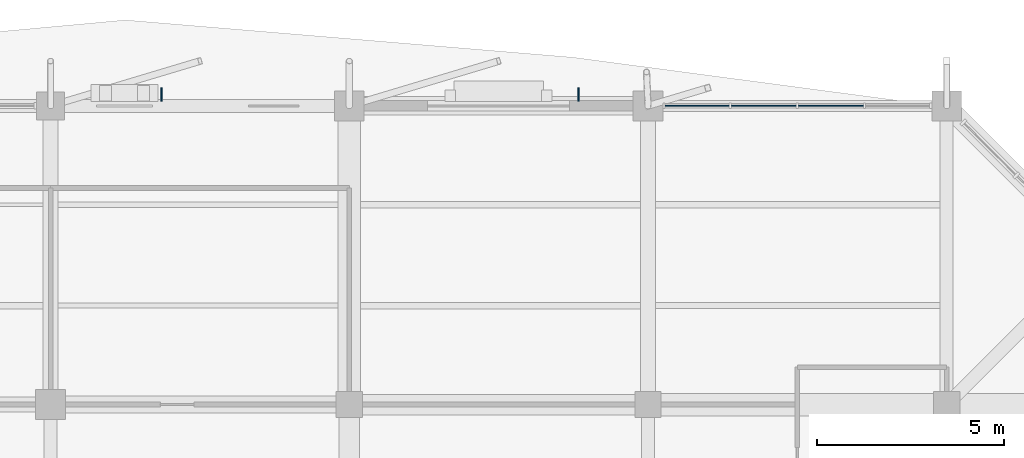
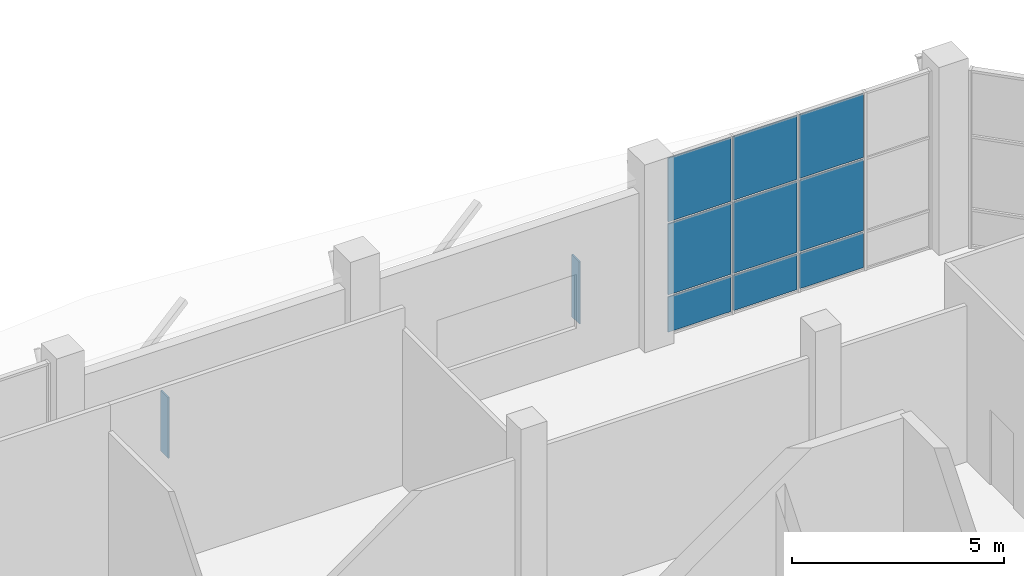
# One storey, part 85 of 122: 11 plates, 1 element without a shape of its own.
"""IFC4 building model written with IfcOpenShell, lengths in metres."""

from ifc_helpers import new_model, si_unit, direction, frame, origin, origin_2d, place, context, subcontext, project, spatial, rectangle, extrude, material, layer, layer_set, type_object, element, aggregate, save


model = new_model("IFC4")

# Units and contexts
model_context = context("Model", 3, precision=1e-05, world=origin(), true_north=direction((0.0, 1.0)))
body_context = subcontext(model_context, "Body", "Model", "MODEL_VIEW")
ifc_project = project(units=[si_unit("LENGTHUNIT", "METRE"), si_unit("AREAUNIT", "SQUARE_METRE"), si_unit("VOLUMEUNIT", "CUBIC_METRE"), si_unit("PLANEANGLEUNIT", "RADIAN"), si_unit("MASSUNIT", "GRAM", prefix="KILO")], contexts=[model_context])

# Site, building, storey
site_placement = place(None, origin())
site = spatial("IfcSite", under=ifc_project, at=site_placement, CompositionType="ELEMENT")
building_placement = place(site_placement, origin())
building = spatial("IfcBuilding", under=site, at=building_placement, Name="Tenunan Teduh Sports Hall", CompositionType="ELEMENT")
storey_placement = place(building_placement, frame((0.0, 0.0, 5.39990234375)))
storey = spatial("IfcBuildingStorey", under=building, at=storey_placement, Name="L01", CompositionType="ELEMENT", Elevation=5.39990234375)

# Curtain wall, plates
ifc_material_1 = material(Name="Anodised aluminium", Category="aluminium")
curtain_wall_type = type_object("IfcCurtainWallType", Name="CW-UNIT-1", PredefinedType="NOTDEFINED", material=ifc_material_1)
curtain_wall_placement = place(storey_placement, origin())
curtain_wall = element("IfcCurtainWall", 1, at=curtain_wall_placement, inside=storey, type_object=curtain_wall_type, Name="CW-CWM-150-L01-207", PredefinedType="NOTDEFINED")
ifc_material_2 = material(Name="Solar-control laminated glazing", Category="glass")
ifc_layer_1 = layer(ifc_material_2, 0.031982421875)
ifc_layer_set_1 = layer_set([ifc_layer_1], Name="Solar-control laminated glazing")
plate_type_1 = type_object("IfcPlateType", Name="CWP-GLZ-32", PredefinedType="CURTAIN_PANEL", material=ifc_layer_set_1)
plate_1_placement = place(storey_placement, frame((63.31494140625, 118.0, 1.130126953125), z_axis=(0.0, 0.0, 1.0), x_axis=(1.0, 0.0, 0.0)))
plate_1 = element("IfcPlate", 2, at=plate_1_placement, type_object=plate_type_1, Name="CW-01 panel 1.2", PredefinedType="CURTAIN_PANEL", context=body_context, shape_type="SweptSolid", body=[
    extrude(rectangle(XDim=1.7099609375, YDim=0.031982421875, at=origin_2d()), origin(), (0.0, 0.0, 1.0), 2.0400390625),
])
plate_2_placement = place(storey_placement, frame((63.31494140625, 118.0, 3.22998046875), z_axis=(0.0, 0.0, 1.0), x_axis=(1.0, 0.0, 0.0)))
plate_2 = element("IfcPlate", 3, at=plate_2_placement, type_object=plate_type_1, Name="CW-01 panel 1.3", PredefinedType="CURTAIN_PANEL", context=body_context, shape_type="SweptSolid", body=[
    extrude(rectangle(XDim=1.7099609375, YDim=0.031982421875, at=origin_2d()), origin(), (0.0, 0.0, 1.0), 1.830078125),
])
plate_3_placement = place(storey_placement, frame((65.10009765625, 118.0, 1.130126953125), z_axis=(0.0, 0.0, 1.0), x_axis=(1.0, 0.0, 0.0)))
plate_3 = element("IfcPlate", 4, at=plate_3_placement, type_object=plate_type_1, Name="CW-01 panel 2.2", PredefinedType="CURTAIN_PANEL", context=body_context, shape_type="SweptSolid", body=[
    extrude(rectangle(XDim=1.739990234375, YDim=0.031982421875, at=origin_2d()), origin(), (0.0, 0.0, 1.0), 2.0400390625),
])
plate_4_placement = place(storey_placement, frame((65.10009765625, 118.0, 3.22998046875), z_axis=(0.0, 0.0, 1.0), x_axis=(1.0, 0.0, 0.0)))
plate_4 = element("IfcPlate", 5, at=plate_4_placement, type_object=plate_type_1, Name="CW-01 panel 2.3", PredefinedType="CURTAIN_PANEL", context=body_context, shape_type="SweptSolid", body=[
    extrude(rectangle(XDim=1.739990234375, YDim=0.031982421875, at=origin_2d()), origin(), (0.0, 0.0, 1.0), 1.830078125),
])
plate_5_placement = place(storey_placement, frame((66.89990234375, 118.0, 1.130126953125), z_axis=(0.0, 0.0, 1.0), x_axis=(1.0, 0.0, 0.0)))
plate_5 = element("IfcPlate", 6, at=plate_5_placement, type_object=plate_type_1, Name="CW-01 panel 3.2", PredefinedType="CURTAIN_PANEL", context=body_context, shape_type="SweptSolid", body=[
    extrude(rectangle(XDim=1.739990234375, YDim=0.031982421875, at=origin_2d()), origin(), (0.0, 0.0, 1.0), 2.0400390625),
])
plate_6_placement = place(storey_placement, frame((66.89990234375, 118.0, 3.22998046875), z_axis=(0.0, 0.0, 1.0), x_axis=(1.0, 0.0, 0.0)))
plate_6 = element("IfcPlate", 7, at=plate_6_placement, type_object=plate_type_1, Name="CW-01 panel 3.3", PredefinedType="CURTAIN_PANEL", context=body_context, shape_type="SweptSolid", body=[
    extrude(rectangle(XDim=1.739990234375, YDim=0.031982421875, at=origin_2d()), origin(), (0.0, 0.0, 1.0), 1.830078125),
])
ifc_material_3 = material(Name="Insulated aluminium spandrel panel", Category="aluminium")
ifc_layer_2 = layer(ifc_material_3, 0.044921875)
ifc_layer_set_2 = layer_set([ifc_layer_2], Name="Insulated aluminium spandrel panel")
plate_type_2 = type_object("IfcPlateType", Name="CWP-SPN-45", PredefinedType="CURTAIN_PANEL", material=ifc_layer_set_2)
plate_7_placement = place(storey_placement, frame((63.31494140625, 118.0, 0.06005859375), z_axis=(0.0, 0.0, 1.0), x_axis=(1.0, 0.0, 0.0)))
plate_7 = element("IfcPlate", 8, at=plate_7_placement, type_object=plate_type_2, Name="CW-01 panel 1.1", PredefinedType="CURTAIN_PANEL", context=body_context, shape_type="SweptSolid", body=[
    extrude(rectangle(XDim=1.7099609375, YDim=0.031982421875, at=origin_2d()), origin(), (0.0, 0.0, 1.0), 1.010009765625),
])
plate_8_placement = place(storey_placement, frame((65.10009765625, 118.0, 0.06005859375), z_axis=(0.0, 0.0, 1.0), x_axis=(1.0, 0.0, 0.0)))
plate_8 = element("IfcPlate", 9, at=plate_8_placement, type_object=plate_type_2, Name="CW-01 panel 2.1", PredefinedType="CURTAIN_PANEL", context=body_context, shape_type="SweptSolid", body=[
    extrude(rectangle(XDim=1.739990234375, YDim=0.031982421875, at=origin_2d()), origin(), (0.0, 0.0, 1.0), 1.010009765625),
])
plate_9_placement = place(storey_placement, frame((66.89990234375, 118.0, 0.06005859375), z_axis=(0.0, 0.0, 1.0), x_axis=(1.0, 0.0, 0.0)))
plate_9 = element("IfcPlate", 10, at=plate_9_placement, type_object=plate_type_2, Name="CW-01 panel 3.1", PredefinedType="CURTAIN_PANEL", context=body_context, shape_type="SweptSolid", body=[
    extrude(rectangle(XDim=1.739990234375, YDim=0.031982421875, at=origin_2d()), origin(), (0.0, 0.0, 1.0), 1.010009765625),
])
aggregate(curtain_wall, [plate_7, plate_1, plate_2, plate_8, plate_3, plate_4, plate_9, plate_5, plate_6])

# Plates
ifc_material_4 = material(Name="Anodised aluminium", Category="aluminium")
ifc_layer_3 = layer(ifc_material_4, 1.89990234375)
ifc_layer_set_3 = layer_set([ifc_layer_3], Name="Anodised aluminium")
plate_type_3 = type_object("IfcPlateType", Name="PLT-FIN-1", PredefinedType="SHEET", material=ifc_layer_set_3)
plate_10_placement = place(storey_placement, frame((48.965087890625, 118.304931640625, 1.080078125), z_axis=(0.0, 0.0, 1.0), x_axis=(1.0, 0.0, 0.0)))
element("IfcPlate", 11, at=plate_10_placement, inside=storey, type_object=plate_type_3, Name="PLT-FIN-L01-033", PredefinedType="SHEET", context=body_context, shape_type="SweptSolid", body=[
    extrude(rectangle(XDim=0.0400390625, YDim=0.360107421875, at=origin_2d()), origin(), (0.0, 0.0, 1.0), 1.739990234375),
])
plate_11_placement = place(storey_placement, frame((60.139892578125, 118.300048828125, 1.030029296875), z_axis=(0.0, 0.0, 1.0), x_axis=(1.0, 0.0, 0.0)))
element("IfcPlate", 12, at=plate_11_placement, inside=storey, type_object=plate_type_3, Name="PLT-FIN-L01-034", PredefinedType="SHEET", context=body_context, shape_type="SweptSolid", body=[
    extrude(rectangle(XDim=0.0400390625, YDim=0.360107421875, at=origin_2d()), origin(), (0.0, 0.0, 1.0), 1.7900390625),
])

save(model, "model.ifc")
